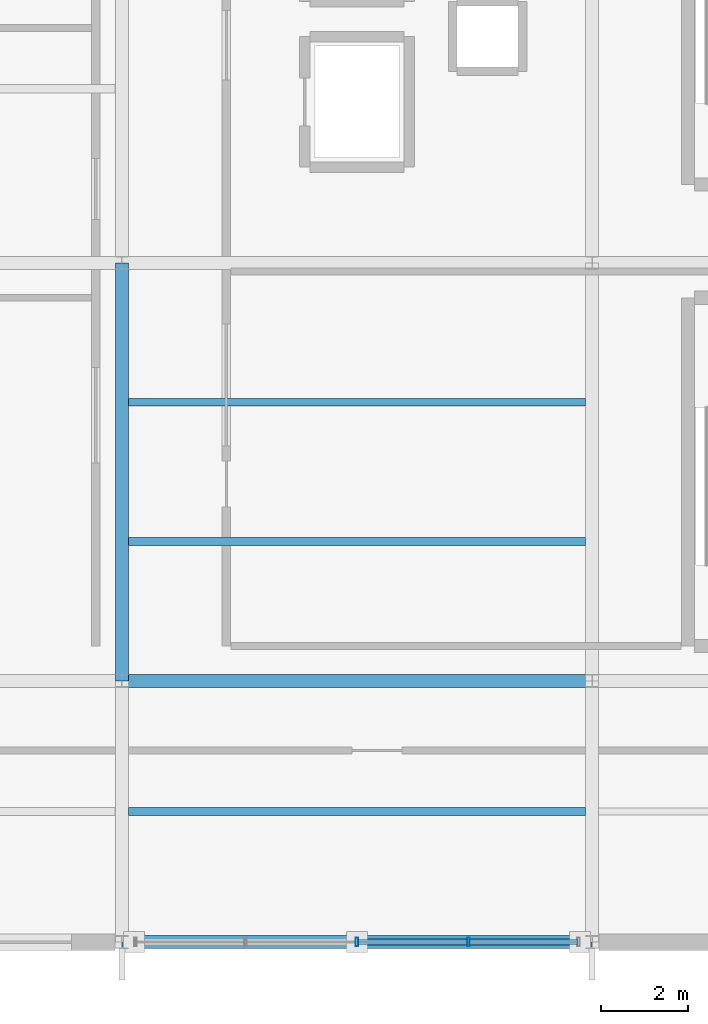
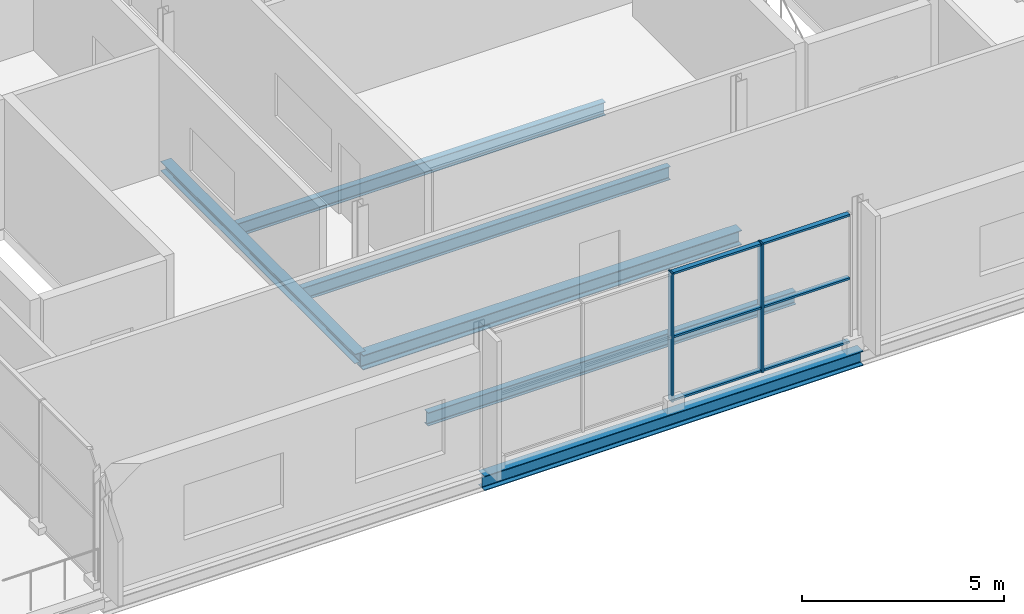
# One storey, part 6 of 13: 8 members, 6 beams, 1 element without a shape of its own.
"""IFC4 building model written with IfcOpenShell, lengths in metres."""

from ifc_helpers import new_model, si_unit, direction, frame, origin, origin_2d, place, context, subcontext, project, spatial, hollow_rectangle, i_section, extrude, material, material_profile, profile_set, type_object, element, aggregate, save


model = new_model("IFC4")

# Units and contexts
model_context = context("Model", 3, precision=1e-05, world=origin(), true_north=direction((0.0, 1.0)))
body_context = subcontext(model_context, "Body", "Model", "MODEL_VIEW")
ifc_project = project(units=[si_unit("LENGTHUNIT", "METRE"), si_unit("AREAUNIT", "SQUARE_METRE"), si_unit("VOLUMEUNIT", "CUBIC_METRE"), si_unit("PLANEANGLEUNIT", "RADIAN"), si_unit("MASSUNIT", "GRAM", prefix="KILO")], contexts=[model_context])

# Site, building, storey
site_placement = place(None, origin())
site = spatial("IfcSite", under=ifc_project, at=site_placement, CompositionType="ELEMENT")
building_placement = place(site_placement, origin())
building = spatial("IfcBuilding", under=site, at=building_placement, Name="Merenkruunu Market Hall", CompositionType="ELEMENT")
storey_placement = place(building_placement, frame((0.0, 0.0, 14.39990234375)))
storey = spatial("IfcBuildingStorey", under=building, at=storey_placement, Name="L03", CompositionType="ELEMENT", Elevation=14.39990234375)

# Curtain wall, members
ifc_material_1 = material(Name="Powder-coated aluminium", Category="aluminium")
curtain_wall_type = type_object("IfcCurtainWallType", Name="Glazed Curtain Wall CW07", PredefinedType="USERDEFINED", material=ifc_material_1)
curtain_wall_placement = place(storey_placement, origin())
curtain_wall = element("IfcCurtainWall", 1, at=curtain_wall_placement, inside=storey, type_object=curtain_wall_type, Name="CW-L03-CWM03-220", ObjectType="GLAZED_FACADE", PredefinedType="USERDEFINED")
ifc_material_profile_1 = material_profile(ifc_material_1, hollow_rectangle(XDim=0.06005859375, YDim=0.199951171875, WallThickness=0.0048828125, at=origin_2d()), Name="ALU 60x200x5")
ifc_profile_set_1 = profile_set([ifc_material_profile_1], Name="Powder-coated aluminium")
member_type_1 = type_object("IfcMemberType", Name="Curtain Wall Mullion CWM03", PredefinedType="MULLION", material=ifc_profile_set_1)
member_1_placement = place(storey_placement, frame((178.360107421875, 0.0, 0.0), z_axis=(0.0, 0.0, 1.0), x_axis=(-1.0, 0.0, 0.0)))
member_1 = element("IfcMember", 2, at=member_1_placement, type_object=member_type_1, Name="CW07 mullion 2", PredefinedType="MULLION", context=body_context, shape_type="SweptSolid", body=[
    extrude(hollow_rectangle(XDim=0.06005859375, YDim=0.199951171875, WallThickness=0.0048828125, at=origin_2d()), origin(), (0.0, 0.0, 1.0), 3.880126953125),
])
member_2_placement = place(storey_placement, frame((175.800048828125, 0.0, 0.0), z_axis=(0.0, 0.0, 1.0), x_axis=(-1.0, 0.0, 0.0)))
member_2 = element("IfcMember", 3, at=member_2_placement, type_object=member_type_1, Name="CW07 mullion 3", PredefinedType="MULLION", context=body_context, shape_type="SweptSolid", body=[
    extrude(hollow_rectangle(XDim=0.06005859375, YDim=0.199951171875, WallThickness=0.0048828125, at=origin_2d()), origin(), (0.0, 0.0, 1.0), 3.880126953125),
])
ifc_material_profile_2 = material_profile(ifc_material_1, hollow_rectangle(XDim=0.06005859375, YDim=0.139892578125, WallThickness=0.00390625, at=origin_2d()), Name="ALU 60x140x4")
ifc_profile_set_2 = profile_set([ifc_material_profile_2], Name="Powder-coated aluminium")
member_type_2 = type_object("IfcMemberType", Name="Curtain Wall Transom CWT02", PredefinedType="USERDEFINED", material=ifc_profile_set_2)
member_3_placement = place(storey_placement, frame((180.860107421875, 0.0, 0.030029296875), z_axis=(-1.0, 0.0, 0.0), x_axis=(0.0, 0.0, 1.0)))
member_3 = element("IfcMember", 4, at=member_3_placement, type_object=member_type_2, Name="CW07 transom 1.1", ObjectType="TRANSOM", PredefinedType="USERDEFINED", context=body_context, shape_type="SweptSolid", body=[
    extrude(hollow_rectangle(XDim=0.06005859375, YDim=0.139892578125, WallThickness=0.00390625, at=origin_2d()), origin(), (0.0, 0.0, 1.0), 2.47021484375),
])
member_4_placement = place(storey_placement, frame((180.860107421875, 0.0, 1.940185546875), z_axis=(-1.0, 0.0, 0.0), x_axis=(0.0, 0.0, 1.0)))
member_4 = element("IfcMember", 5, at=member_4_placement, type_object=member_type_2, Name="CW07 transom 1.2", ObjectType="TRANSOM", PredefinedType="USERDEFINED", context=body_context, shape_type="SweptSolid", body=[
    extrude(hollow_rectangle(XDim=0.06005859375, YDim=0.139892578125, WallThickness=0.00390625, at=origin_2d()), origin(), (0.0, 0.0, 1.0), 2.47021484375),
])
member_5_placement = place(storey_placement, frame((180.860107421875, 0.0, 3.85009765625), z_axis=(-1.0, 0.0, 0.0), x_axis=(0.0, 0.0, 1.0)))
member_5 = element("IfcMember", 6, at=member_5_placement, type_object=member_type_2, Name="CW07 transom 1.3", ObjectType="TRANSOM", PredefinedType="USERDEFINED", context=body_context, shape_type="SweptSolid", body=[
    extrude(hollow_rectangle(XDim=0.06005859375, YDim=0.139892578125, WallThickness=0.00390625, at=origin_2d()), origin(), (0.0, 0.0, 1.0), 2.47021484375),
])
member_6_placement = place(storey_placement, frame((178.330078125, 0.0, 0.030029296875), z_axis=(-1.0, 0.0, 0.0), x_axis=(0.0, 0.0, 1.0)))
member_6 = element("IfcMember", 7, at=member_6_placement, type_object=member_type_2, Name="CW07 transom 2.1", ObjectType="TRANSOM", PredefinedType="USERDEFINED", context=body_context, shape_type="SweptSolid", body=[
    extrude(hollow_rectangle(XDim=0.06005859375, YDim=0.139892578125, WallThickness=0.00390625, at=origin_2d()), origin(), (0.0, 0.0, 1.0), 2.5),
])
member_7_placement = place(storey_placement, frame((178.330078125, 0.0, 1.940185546875), z_axis=(-1.0, 0.0, 0.0), x_axis=(0.0, 0.0, 1.0)))
member_7 = element("IfcMember", 8, at=member_7_placement, type_object=member_type_2, Name="CW07 transom 2.2", ObjectType="TRANSOM", PredefinedType="USERDEFINED", context=body_context, shape_type="SweptSolid", body=[
    extrude(hollow_rectangle(XDim=0.06005859375, YDim=0.139892578125, WallThickness=0.00390625, at=origin_2d()), origin(), (0.0, 0.0, 1.0), 2.5),
])
member_8_placement = place(storey_placement, frame((178.330078125, 0.0, 3.85009765625), z_axis=(-1.0, 0.0, 0.0), x_axis=(0.0, 0.0, 1.0)))
member_8 = element("IfcMember", 9, at=member_8_placement, type_object=member_type_2, Name="CW07 transom 2.3", ObjectType="TRANSOM", PredefinedType="USERDEFINED", context=body_context, shape_type="SweptSolid", body=[
    extrude(hollow_rectangle(XDim=0.06005859375, YDim=0.139892578125, WallThickness=0.00390625, at=origin_2d()), origin(), (0.0, 0.0, 1.0), 2.5),
])
aggregate(curtain_wall, [member_1, member_2, member_3, member_4, member_5, member_6, member_7, member_8])

# Beams
ifc_material_2 = material(Name="Steel S355J2", Category="steel")
ifc_material_profile_3 = material_profile(ifc_material_2, i_section(OverallWidth=0.300048828125, OverallDepth=0.43994140625, WebThickness=0.011474609375, FlangeThickness=0.02099609375, FilletRadius=0.027099609375, at=origin_2d()), Name="HEA 450")
ifc_profile_set_3 = profile_set([ifc_material_profile_3], Name="Steel S355J2")
beam_type_1 = type_object("IfcBeamType", Name="Primary Floor Girder B07", PredefinedType="BEAM", material=ifc_profile_set_3)
for number, where, z_axis, x_axis, name in (
    (10, (170.39990234375, 0.0, -0.52978515625), (1.0, 0.0, 0.0), (0.0, 1.0, 0.0), "BM-L03-B07-0857"),
    (11, (170.39990234375, 6.0, -0.52978515625), (1.0, 0.0, 0.0), (0.0, 1.0, 0.0), "BM-L03-B07-0861"),
):
    element("IfcBeam", number, at=place(storey_placement, frame(where, z_axis=z_axis, x_axis=x_axis)), inside=storey, type_object=beam_type_1, Name=name, PredefinedType="BEAM", context=body_context, shape_type="SweptSolid", body=[
        extrude(i_section(OverallWidth=0.300048828125, OverallDepth=0.43994140625, WebThickness=0.011474609375, FlangeThickness=0.02099609375, FilletRadius=0.027099609375, at=origin_2d()), origin(), (0.0, 0.0, 1.0), 10.800048828125),
    ])
ifc_material_profile_4 = material_profile(ifc_material_2, i_section(OverallWidth=0.300048828125, OverallDepth=0.2900390625, WebThickness=0.008544921875, FlangeThickness=0.013916015625, FilletRadius=0.027099609375, at=origin_2d()), Name="HEA 300")
ifc_profile_set_4 = profile_set([ifc_material_profile_4], Name="Steel S355J2")
beam_type_2 = type_object("IfcBeamType", Name="Primary Floor Girder B09", PredefinedType="BEAM", material=ifc_profile_set_4)
beam_placement = place(storey_placement, frame((170.39990234375, 6.0, -0.454833984375), z_axis=(0.0, 1.0, 0.0), x_axis=(-1.0, 0.0, 0.0)))
element("IfcBeam", 12, at=beam_placement, inside=storey, type_object=beam_type_2, Name="BM-L03-B09-0884", PredefinedType="BEAM", context=body_context, shape_type="SweptSolid", body=[
    extrude(i_section(OverallWidth=0.300048828125, OverallDepth=0.2900390625, WebThickness=0.008544921875, FlangeThickness=0.013916015625, FilletRadius=0.027099609375, at=origin_2d()), origin(), (0.0, 0.0, 1.0), 9.60009765625),
])
ifc_material_profile_5 = material_profile(ifc_material_2, i_section(OverallWidth=0.179931640625, OverallDepth=0.39990234375, WebThickness=0.008544921875, FlangeThickness=0.013427734375, FilletRadius=0.02099609375, at=origin_2d()), Name="IPE 400")
ifc_profile_set_5 = profile_set([ifc_material_profile_5], Name="Steel S355J2")
beam_type_3 = type_object("IfcBeamType", Name="Secondary Floor Joist J02", PredefinedType="JOIST", material=ifc_profile_set_5)
for number, where, z_axis, x_axis, name in (
    (13, (170.552978515625, 3.0, -0.510009765625), (1.0, 0.0, 0.0), (0.0, 1.0, 0.0), "BM-L03-J02-0907"),
    (14, (170.552978515625, 9.199951171875, -0.510009765625), (1.0, 0.0, 0.0), (0.0, 1.0, 0.0), "BM-L03-J02-0908"),
    (15, (170.552978515625, 12.39990234375, -0.510009765625), (1.0, 0.0, 0.0), (0.0, 1.0, 0.0), "BM-L03-J02-0909"),
):
    element("IfcBeam", number, at=place(storey_placement, frame(where, z_axis=z_axis, x_axis=x_axis)), inside=storey, type_object=beam_type_3, Name=name, PredefinedType="JOIST", context=body_context, shape_type="SweptSolid", body=[
        extrude(i_section(OverallWidth=0.179931640625, OverallDepth=0.39990234375, WebThickness=0.008544921875, FlangeThickness=0.013427734375, FilletRadius=0.02099609375, at=origin_2d()), origin(), (0.0, 0.0, 1.0), 10.494140625),
    ])

save(model, "model.ifc")
